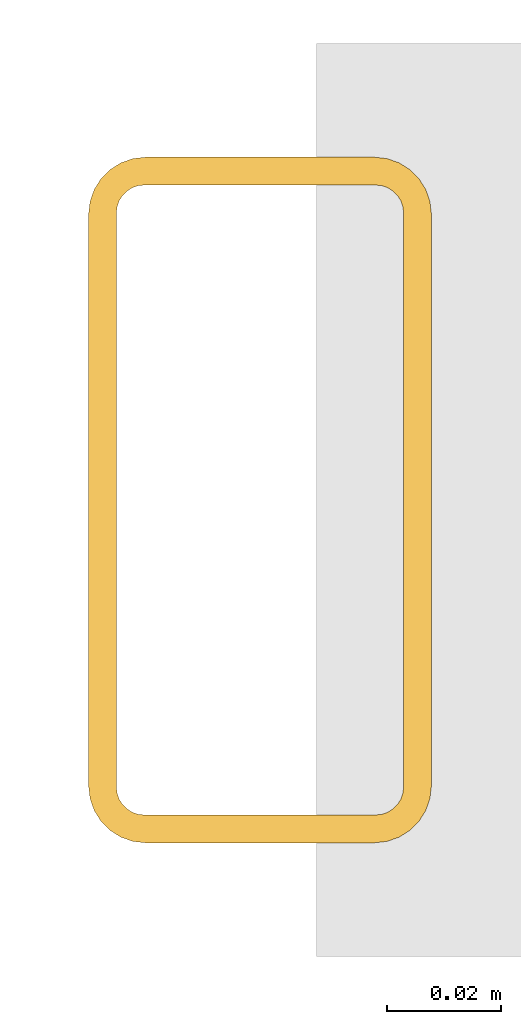
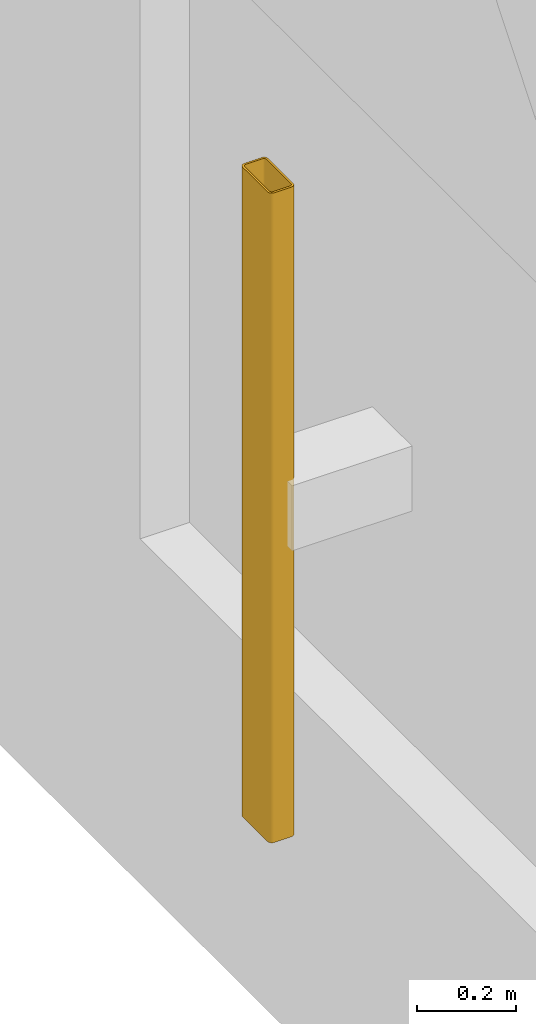
# One storey, part 88 of 109: 1 shading device.
"""IFC4 building model written with IfcOpenShell, lengths in metres."""

from ifc_helpers import new_model, si_unit, derived_unit, direction, frame, origin, origin_2d, place, context, subcontext, project, spatial, hollow_rectangle, extrude, material, material_profile, profile_set, type_object, element, save


model = new_model("IFC4")

# Units and contexts
model_context = context("Model", 3, precision=1e-05, world=origin(), true_north=direction((0.0, 1.0)))
body_context = subcontext(model_context, "Body", "Model", "MODEL_VIEW")
ifc_project = project(units=[si_unit("LENGTHUNIT", "METRE"), si_unit("AREAUNIT", "SQUARE_METRE"), si_unit("VOLUMEUNIT", "CUBIC_METRE"), si_unit("PLANEANGLEUNIT", "RADIAN"), si_unit("MASSUNIT", "GRAM", prefix="KILO"), derived_unit("THERMALTRANSMITTANCEUNIT", [(si_unit("MASSUNIT", "GRAM", prefix="KILO"), 1), (si_unit("TIMEUNIT", "SECOND"), -3), (si_unit("THERMODYNAMICTEMPERATUREUNIT", "KELVIN"), -1)])], contexts=[model_context])

# Site, building, storey
site_placement = place(None, origin())
site = spatial("IfcSite", under=ifc_project, at=site_placement, CompositionType="ELEMENT")
building_placement = place(site_placement, origin())
building = spatial("IfcBuilding", under=site, at=building_placement, Name="Kharveza Railside Sports Centre", CompositionType="ELEMENT")
storey_placement = place(building_placement, frame((0.0, 0.0, 4.5)))
storey = spatial("IfcBuildingStorey", under=building, at=storey_placement, Name="L01", CompositionType="ELEMENT", Elevation=4.5)

# Shading device
ifc_material = material(Name="Anodised aluminium 6063-T6", Category="aluminium")
ifc_material_profile = material_profile(ifc_material, hollow_rectangle(XDim=0.06005859375, YDim=0.1201171875, WallThickness=0.0048828125, InnerFilletRadius=0.0048828125, OuterFilletRadius=0.010009765625, at=origin_2d()), Name="RHS 60x120x5.0")
ifc_profile_set = profile_set([ifc_material_profile], Name="Anodised aluminium 6063-T6")
shading_device_type = type_object("IfcShadingDeviceType", Name="SD-LV01", PredefinedType="JALOUSIE", material=ifc_profile_set)
shading_device_placement = place(storey_placement, frame((91.97509765625, 90.0, 0.85009765625), z_axis=(0.0, 0.0, 1.0), x_axis=(-1.0, 0.0, 0.0)))
element("IfcShadingDevice", 1, at=shading_device_placement, inside=storey, type_object=shading_device_type, Name="SD-FIN-052", PredefinedType="JALOUSIE", context=body_context, shape_type="SweptSolid", body=[
    extrude(hollow_rectangle(XDim=0.06005859375, YDim=0.1201171875, WallThickness=0.0048828125, InnerFilletRadius=0.0048828125, OuterFilletRadius=0.010009765625, at=origin_2d()), origin(), (0.0, 0.0, 1.0), 1.599853515625),
])

save(model, "model.ifc")
